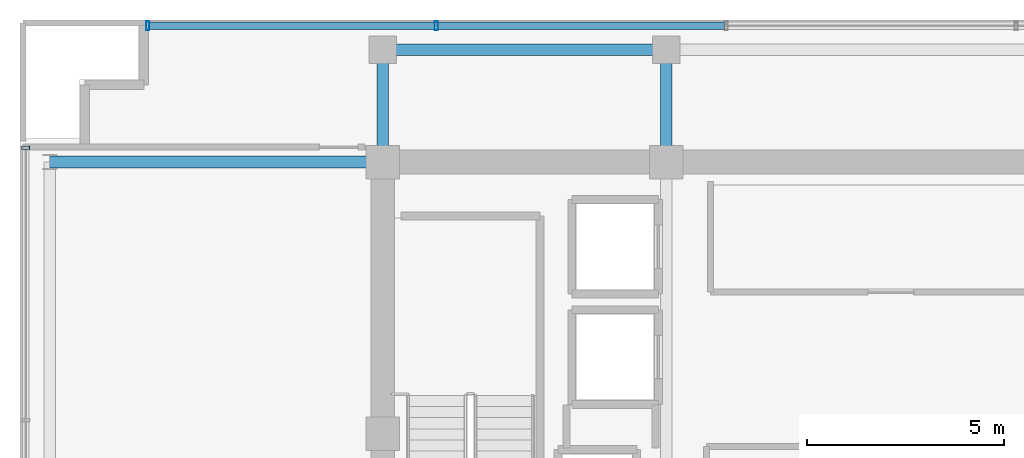
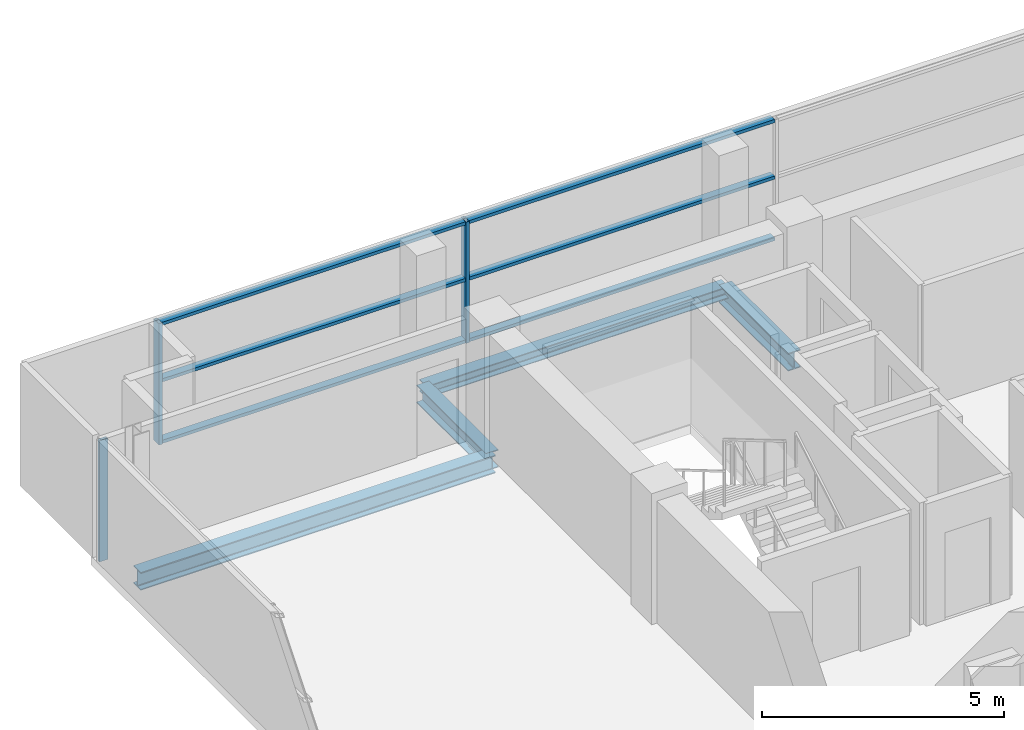
# One storey, part 12 of 23: 9 members, 4 beams, 2 elements without a shape of their own.
"""IFC4 building model written with IfcOpenShell, lengths in metres."""

from ifc_helpers import new_model, si_unit, direction, frame, origin, origin_2d, place, context, subcontext, project, spatial, hollow_rectangle, i_section, extrude, source, transform, mapped, material, layer, layer_set, material_profile, profile_set, type_object, element, aggregate, save


model = new_model("IFC4")

# Units and contexts
model_context = context("Model", 3, precision=1e-05, world=origin(), true_north=direction((0.0, 1.0)))
body_context = subcontext(model_context, "Body", "Model", "MODEL_VIEW")
ifc_project = project(units=[si_unit("LENGTHUNIT", "METRE"), si_unit("AREAUNIT", "SQUARE_METRE"), si_unit("VOLUMEUNIT", "CUBIC_METRE"), si_unit("PLANEANGLEUNIT", "RADIAN"), si_unit("MASSUNIT", "GRAM", prefix="KILO")], contexts=[model_context])

# Site, building, storey
site_placement = place(None, origin())
site = spatial("IfcSite", under=ifc_project, at=site_placement, CompositionType="ELEMENT")
building_placement = place(site_placement, origin())
building = spatial("IfcBuilding", under=site, at=building_placement, Name="Zarnakvel Exchange Tower", CompositionType="ELEMENT")
storey_placement = place(building_placement, frame((0.0, 0.0, 212.199951171875)))
storey = spatial("IfcBuildingStorey", under=building, at=storey_placement, Name="L59", CompositionType="ELEMENT", Elevation=212.199951171875)

# Beams
ifc_material_1 = material(Name="Steel S355", Category="steel")
ifc_material_profile_1 = material_profile(ifc_material_1, i_section(OverallWidth=0.300048828125, OverallDepth=0.449951171875, WebThickness=0.013916015625, FlangeThickness=0.02587890625, FilletRadius=0.027099609375, at=origin_2d()))
ifc_profile_set_1 = profile_set([ifc_material_profile_1], Name="Steel S355")
beam_type_1 = type_object("IfcBeamType", Name="G-07", PredefinedType="BEAM", material=ifc_profile_set_1)
beam_1_placement = place(storey_placement, frame((-22.85009765625, 13.5, -0.449951171875), z_axis=(1.0, 0.0, 0.0), x_axis=(0.0, 1.0, 0.0)))
element("IfcBeam", 1, at=beam_1_placement, inside=storey, type_object=beam_type_1, Name="L59 Tower E-W Frame Beam", PredefinedType="BEAM", context=body_context, shape_type="SweptSolid", body=[
    extrude(i_section(OverallWidth=0.300048828125, OverallDepth=0.449951171875, WebThickness=0.013916015625, FlangeThickness=0.02587890625, FilletRadius=0.027099609375, at=origin_2d()), origin(), (0.0, 0.0, 1.0), 8.4501953125),
])
for number, where, z_axis, x_axis, name in (
    (2, (-14.39990234375, 13.5, -0.449951171875), (0.0, 1.0, 0.0), (-1.0, 0.0, 0.0), "L59 Tower N-S Frame Beam"),
    (3, (-7.199951171875, 13.5, -0.449951171875), (0.0, 1.0, 0.0), (-1.0, 0.0, 0.0), "L59 Tower N-S Frame Beam"),
):
    element("IfcBeam", number, at=place(storey_placement, frame(where, z_axis=z_axis, x_axis=x_axis)), inside=storey, type_object=beam_type_1, Name=name, PredefinedType="BEAM", context=body_context, shape_type="SweptSolid", body=[
        extrude(i_section(OverallWidth=0.300048828125, OverallDepth=0.449951171875, WebThickness=0.013916015625, FlangeThickness=0.02587890625, FilletRadius=0.027099609375, at=origin_2d()), origin(), (0.0, 0.0, 1.0), 2.85009765625),
    ])
ifc_material_profile_2 = material_profile(ifc_material_1, i_section(OverallWidth=0.300048828125, OverallDepth=0.300048828125, WebThickness=0.010986328125, FlangeThickness=0.01904296875, FilletRadius=0.027099609375, at=origin_2d()))
ifc_profile_set_2 = profile_set([ifc_material_profile_2], Name="Steel S355")
beam_type_2 = type_object("IfcBeamType", Name="SP-03", PredefinedType="SPANDREL", material=ifc_profile_set_2)
beam_2_placement = place(storey_placement, frame((-14.39990234375, 16.35009765625, -0.375), z_axis=(1.0, 0.0, 0.0), x_axis=(0.0, 1.0, 0.0)))
element("IfcBeam", 4, at=beam_2_placement, inside=storey, type_object=beam_type_2, Name="L59 Tower E-W Frame Beam", PredefinedType="SPANDREL", context=body_context, shape_type="SweptSolid", body=[
    extrude(i_section(OverallWidth=0.300048828125, OverallDepth=0.300048828125, WebThickness=0.010986328125, FlangeThickness=0.01904296875, FilletRadius=0.027099609375, at=origin_2d()), origin(), (0.0, 0.0, 1.0), 7.199951171875),
])

# Curtain wall, member
ifc_material_2 = material(Name="Architectural Bronze Anodised Aluminium", Category="aluminium")
ifc_layer_1 = layer(ifc_material_2, 0.199951171875)
ifc_layer_set_1 = layer_set([ifc_layer_1], Name="Architectural Bronze Anodised Aluminium")
curtain_wall_type_1 = type_object("IfcCurtainWallType", Name="CW-04", PredefinedType="NOTDEFINED", material=ifc_layer_set_1)
curtain_wall_1_placement = place(storey_placement, origin())
curtain_wall_1 = element("IfcCurtainWall", 5, at=curtain_wall_1_placement, inside=storey, type_object=curtain_wall_type_1, Name="L59 Curtain Wall CW-L59-W1 (CW-04)", PredefinedType="NOTDEFINED")
ifc_material_profile_3 = material_profile(ifc_material_2, hollow_rectangle(XDim=0.199951171875, YDim=0.074951171875, WallThickness=0.0048828125, at=origin_2d()))
ifc_profile_set_3 = profile_set([ifc_material_profile_3], Name="Architectural Bronze Anodised Aluminium")
member_type_1 = type_object("IfcMemberType", Name="CWM-04", PredefinedType="MULLION", material=ifc_profile_set_3)
shared_shape_1 = source(origin(), body_context, "Body", "SweptSolid", [
    extrude(hollow_rectangle(XDim=0.199951171875, YDim=0.074951171875, WallThickness=0.0048828125, at=origin_2d()), origin(), (0.0, 0.0, 1.0), 3.054931640625),
])
member_1_placement = place(storey_placement, frame((-23.4599609375, 13.862548828125, 0.0), z_axis=(0.0, 0.0, 1.0), x_axis=(-1.0, 0.0, 0.0)))
member_1 = element("IfcMember", 6, at=member_1_placement, type_object=member_type_1, Name="CW-04 mullion 5", PredefinedType="MULLION", context=body_context, shape_type="MappedRepresentation", body=[
    mapped(shared_shape_1, transform((0.0, 0.0, 0.0), x_axis=(1.0, 0.0, 0.0), y_axis=(0.0, 1.0, 0.0), z_axis=(0.0, 0.0, 1.0), scale=1.0)),
])
aggregate(curtain_wall_1, [member_1])

# Curtain wall, members
ifc_layer_2 = layer(ifc_material_2, 0.219970703125)
ifc_layer_set_2 = layer_set([ifc_layer_2], Name="Architectural Bronze Anodised Aluminium")
curtain_wall_type_2 = type_object("IfcCurtainWallType", Name="CW-03", PredefinedType="NOTDEFINED", material=ifc_layer_set_2)
curtain_wall_2_placement = place(storey_placement, origin())
curtain_wall_2 = element("IfcCurtainWall", 7, at=curtain_wall_2_placement, inside=storey, type_object=curtain_wall_type_2, Name="L59 Curtain Wall CW-L59-N1 (CW-03)", PredefinedType="NOTDEFINED")
ifc_material_profile_4 = material_profile(ifc_material_2, hollow_rectangle(XDim=0.219970703125, YDim=0.080078125, WallThickness=0.0048828125, at=origin_2d()))
ifc_profile_set_4 = profile_set([ifc_material_profile_4], Name="Architectural Bronze Anodised Aluminium")
member_type_2 = type_object("IfcMemberType", Name="CWM-03", PredefinedType="MULLION", material=ifc_profile_set_4)
shared_shape_2 = source(origin(), body_context, "Body", "SweptSolid", [
    extrude(hollow_rectangle(XDim=0.219970703125, YDim=0.080078125, WallThickness=0.0048828125, at=origin_2d()), origin(), (0.0, 0.0, 1.0), 3.054931640625),
])
member_2_placement = place(storey_placement, frame((-20.360107421875, 16.9599609375, 0.0), z_axis=(0.0, 0.0, 1.0), x_axis=(0.0, 1.0, 0.0)))
member_2 = element("IfcMember", 8, at=member_2_placement, type_object=member_type_2, Name="CW-03 mullion 1", PredefinedType="MULLION", context=body_context, shape_type="MappedRepresentation", body=[
    mapped(shared_shape_2, transform((0.0, 0.0, 0.0), x_axis=(1.0, 0.0, 0.0), y_axis=(0.0, 1.0, 0.0), z_axis=(0.0, 0.0, 1.0), scale=1.0)),
])
member_3_placement = place(storey_placement, frame((-13.0400390625, 16.9599609375, 0.0), z_axis=(0.0, 0.0, 1.0), x_axis=(0.0, 1.0, 0.0)))
member_3 = element("IfcMember", 9, at=member_3_placement, type_object=member_type_2, Name="CW-03 mullion 2", PredefinedType="MULLION", context=body_context, shape_type="MappedRepresentation", body=[
    mapped(shared_shape_2, transform((0.0, 0.0, 0.0), x_axis=(1.0, 0.0, 0.0), y_axis=(0.0, 1.0, 0.0), z_axis=(0.0, 0.0, 1.0), scale=1.0)),
])
ifc_material_profile_5 = material_profile(ifc_material_2, hollow_rectangle(XDim=0.179931640625, YDim=0.080078125, WallThickness=0.00390625, at=origin_2d()))
ifc_profile_set_5 = profile_set([ifc_material_profile_5], Name="Architectural Bronze Anodised Aluminium")
member_type_3 = type_object("IfcMemberType", Name="CWT-03", PredefinedType="USERDEFINED", material=ifc_profile_set_5)
shared_shape_3 = source(origin(), body_context, "Body", "SweptSolid", [
    extrude(hollow_rectangle(XDim=0.179931640625, YDim=0.080078125, WallThickness=0.00390625, at=origin_2d()), origin(), (0.0, 0.0, 1.0), 7.239990234375),
])
member_4_placement = place(storey_placement, frame((-20.320068359375, 16.9599609375, 0.0400390625), z_axis=(1.0, 0.0, 0.0), x_axis=(0.0, 1.0, 0.0)))
member_4 = element("IfcMember", 10, at=member_4_placement, type_object=member_type_3, Name="CW-03 transom 1.1", ObjectType="TRANSOM", PredefinedType="USERDEFINED", context=body_context, shape_type="MappedRepresentation", body=[
    mapped(shared_shape_3, transform((0.0, 0.0, 0.0), x_axis=(1.0, 0.0, 0.0), y_axis=(0.0, 1.0, 0.0), z_axis=(0.0, 0.0, 1.0), scale=1.0)),
])
member_5_placement = place(storey_placement, frame((-20.320068359375, 16.9599609375, 1.588623046875), z_axis=(1.0, 0.0, 0.0), x_axis=(0.0, 1.0, 0.0)))
member_5 = element("IfcMember", 11, at=member_5_placement, type_object=member_type_3, Name="CW-03 transom 1.2", ObjectType="TRANSOM", PredefinedType="USERDEFINED", context=body_context, shape_type="MappedRepresentation", body=[
    mapped(shared_shape_3, transform((0.0, 0.0, 0.0), x_axis=(1.0, 0.0, 0.0), y_axis=(0.0, 1.0, 0.0), z_axis=(0.0, 0.0, 1.0), scale=1.0)),
])
member_6_placement = place(storey_placement, frame((-20.320068359375, 16.9599609375, 3.01513671875), z_axis=(1.0, 0.0, 0.0), x_axis=(0.0, 1.0, 0.0)))
member_6 = element("IfcMember", 12, at=member_6_placement, type_object=member_type_3, Name="CW-03 transom 1.3", ObjectType="TRANSOM", PredefinedType="USERDEFINED", context=body_context, shape_type="MappedRepresentation", body=[
    mapped(shared_shape_3, transform((0.0, 0.0, 0.0), x_axis=(1.0, 0.0, 0.0), y_axis=(0.0, 1.0, 0.0), z_axis=(0.0, 0.0, 1.0), scale=1.0)),
])
shared_shape_4 = source(origin(), body_context, "Body", "SweptSolid", [
    extrude(hollow_rectangle(XDim=0.179931640625, YDim=0.080078125, WallThickness=0.00390625, at=origin_2d()), origin(), (0.0, 0.0, 1.0), 7.280029296875),
])
member_7_placement = place(storey_placement, frame((-13.0, 16.9599609375, 0.0400390625), z_axis=(1.0, 0.0, 0.0), x_axis=(0.0, 1.0, 0.0)))
member_7 = element("IfcMember", 13, at=member_7_placement, type_object=member_type_3, Name="CW-03 transom 2.1", ObjectType="TRANSOM", PredefinedType="USERDEFINED", context=body_context, shape_type="MappedRepresentation", body=[
    mapped(shared_shape_4, transform((0.0, 0.0, 0.0), x_axis=(1.0, 0.0, 0.0), y_axis=(0.0, 1.0, 0.0), z_axis=(0.0, 0.0, 1.0), scale=1.0)),
])
member_8_placement = place(storey_placement, frame((-13.0, 16.9599609375, 1.588623046875), z_axis=(1.0, 0.0, 0.0), x_axis=(0.0, 1.0, 0.0)))
member_8 = element("IfcMember", 14, at=member_8_placement, type_object=member_type_3, Name="CW-03 transom 2.2", ObjectType="TRANSOM", PredefinedType="USERDEFINED", context=body_context, shape_type="MappedRepresentation", body=[
    mapped(shared_shape_4, transform((0.0, 0.0, 0.0), x_axis=(1.0, 0.0, 0.0), y_axis=(0.0, 1.0, 0.0), z_axis=(0.0, 0.0, 1.0), scale=1.0)),
])
member_9_placement = place(storey_placement, frame((-13.0, 16.9599609375, 3.01513671875), z_axis=(1.0, 0.0, 0.0), x_axis=(0.0, 1.0, 0.0)))
member_9 = element("IfcMember", 15, at=member_9_placement, type_object=member_type_3, Name="CW-03 transom 2.3", ObjectType="TRANSOM", PredefinedType="USERDEFINED", context=body_context, shape_type="MappedRepresentation", body=[
    mapped(shared_shape_4, transform((0.0, 0.0, 0.0), x_axis=(1.0, 0.0, 0.0), y_axis=(0.0, 1.0, 0.0), z_axis=(0.0, 0.0, 1.0), scale=1.0)),
])
aggregate(curtain_wall_2, [member_2, member_3, member_4, member_5, member_6, member_7, member_8, member_9])

save(model, "model.ifc")
